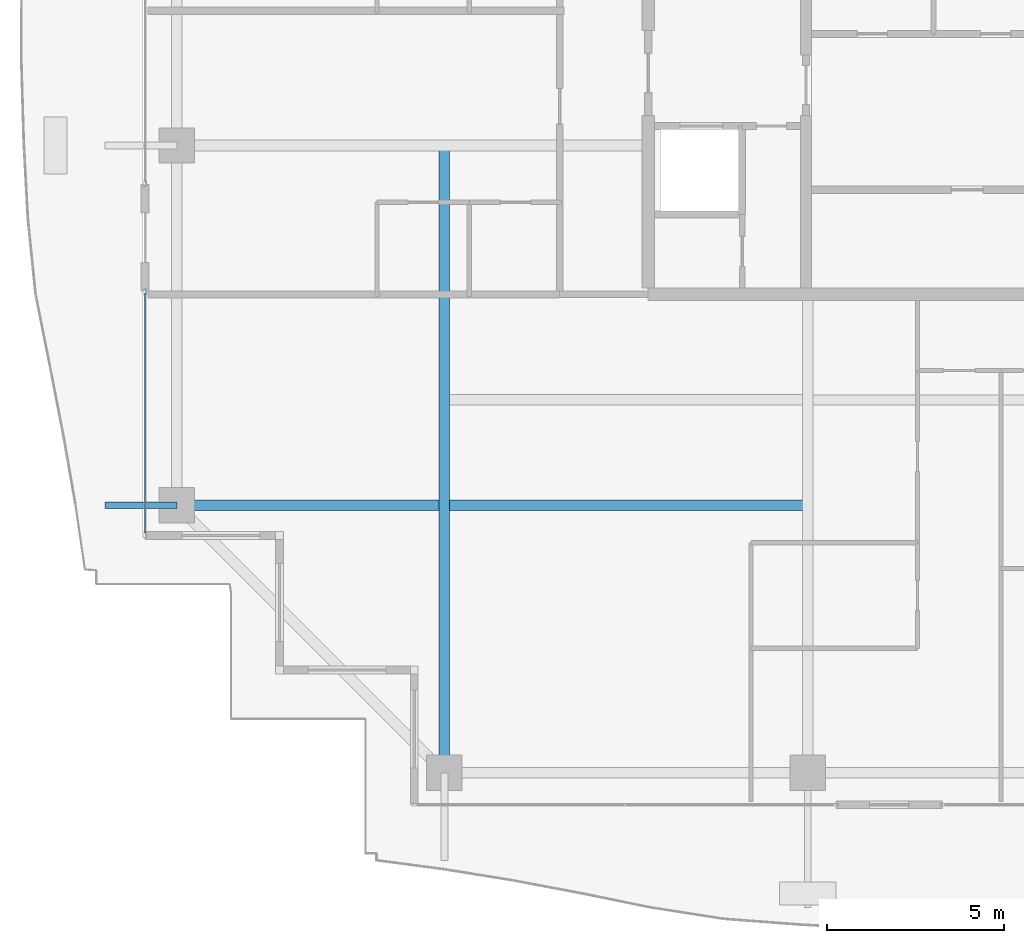
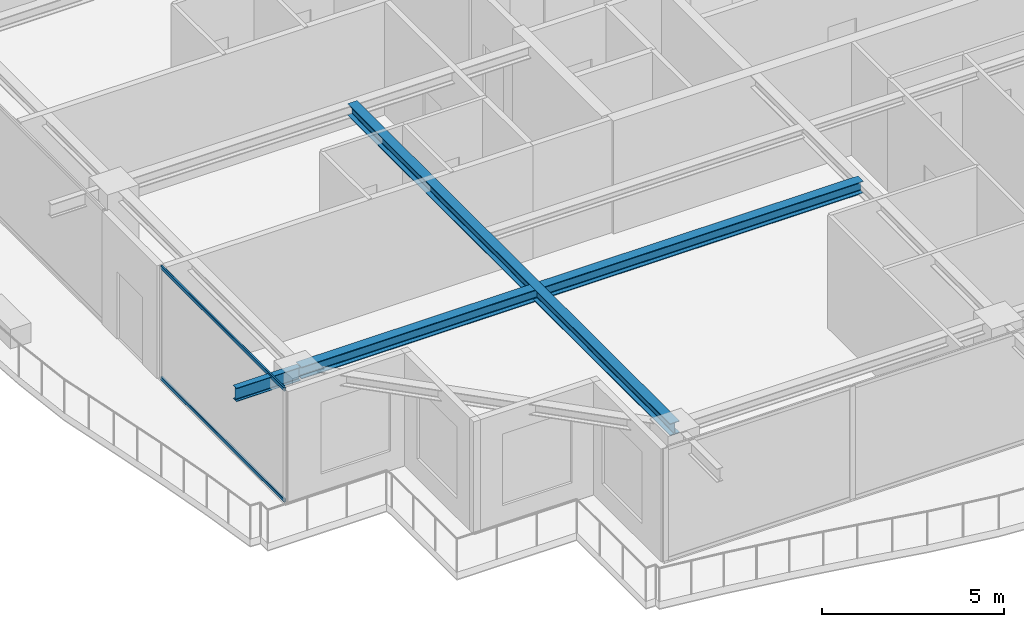
# One storey, part 3 of 37: 3 beams, 2 members, 1 element without a shape of its own.
"""IFC4 building model written with IfcOpenShell, lengths in metres."""

from ifc_helpers import new_model, si_unit, direction, frame, origin, origin_2d, place, context, subcontext, project, spatial, hollow_rectangle, i_section, extrude, source, transform, mapped, material, layer, layer_set, material_profile, profile_set, type_object, element, aggregate, save


model = new_model("IFC4")

# Units and contexts
model_context = context("Model", 3, precision=1e-05, world=origin(), true_north=direction((0.0, 1.0)))
body_context = subcontext(model_context, "Body", "Model", "MODEL_VIEW")
ifc_project = project(units=[si_unit("LENGTHUNIT", "METRE"), si_unit("AREAUNIT", "SQUARE_METRE"), si_unit("VOLUMEUNIT", "CUBIC_METRE"), si_unit("PLANEANGLEUNIT", "RADIAN"), si_unit("MASSUNIT", "GRAM", prefix="KILO")], contexts=[model_context])

# Site, building, storey
site_placement = place(None, origin())
site = spatial("IfcSite", under=ifc_project, at=site_placement, CompositionType="ELEMENT")
building_placement = place(site_placement, origin())
building = spatial("IfcBuilding", under=site, at=building_placement, Name="Serunith Strait Residences", CompositionType="ELEMENT")
storey_placement = place(building_placement, frame((0.0, 0.0, 305.60009765625)))
storey = spatial("IfcBuildingStorey", under=building, at=storey_placement, Name="L76", CompositionType="ELEMENT", Elevation=305.60009765625)

# Beams
ifc_material_1 = material(Name="Steel S355J2", Category="steel")
ifc_material_profile_1 = material_profile(ifc_material_1, i_section(OverallWidth=0.300048828125, OverallDepth=0.39990234375, WebThickness=0.013427734375, FlangeThickness=0.02392578125, FilletRadius=0.027099609375, at=origin_2d()), Name="HEB 400")
ifc_profile_set_1 = profile_set([ifc_material_profile_1], Name="Steel S355J2")
beam_type_1 = type_object("IfcBeamType", Name="BM-HEB400", PredefinedType="BEAM", material=ifc_profile_set_1)
shared_shape_1 = source(origin(), body_context, "Body", "SweptSolid", [
    extrude(i_section(OverallWidth=0.300048828125, OverallDepth=0.39990234375, WebThickness=0.013427734375, FlangeThickness=0.02392578125, FilletRadius=0.027099609375, at=origin_2d()), origin(), (0.0, 0.0, 1.0), 17.699951171875),
])
beam_1_placement = place(storey_placement, frame((17.64990234375, 21.0, 3.5869140625), z_axis=(0.0, -1.0, 0.0), x_axis=(1.0, 0.0, 0.0)))
element("IfcBeam", 1, at=beam_1_placement, inside=storey, type_object=beam_type_1, Name="L76 Orthogonal Corner Girder TC-S1", PredefinedType="BEAM", context=body_context, shape_type="MappedRepresentation", body=[
    mapped(shared_shape_1, transform((0.0, 0.0, 0.0), scale=1.0)),
])
shared_shape_2 = source(origin(), body_context, "Body", "SweptSolid", [
    extrude(i_section(OverallWidth=0.300048828125, OverallDepth=0.39990234375, WebThickness=0.013427734375, FlangeThickness=0.02392578125, FilletRadius=0.027099609375, at=origin_2d()), origin(), (0.0, 0.0, 1.0), 17.7998046875),
])
beam_2_placement = place(storey_placement, frame((27.89990234375, 10.85009765625, 3.5869140625), z_axis=(-1.0, 0.0, 0.0), x_axis=(0.0, -1.0, 0.0)))
element("IfcBeam", 2, at=beam_2_placement, inside=storey, type_object=beam_type_1, Name="L76 Orthogonal Corner Girder TC-W1", PredefinedType="BEAM", context=body_context, shape_type="MappedRepresentation", body=[
    mapped(shared_shape_2, transform((0.0, 0.0, 0.0), scale=1.0)),
])
ifc_material_profile_2 = material_profile(ifc_material_1, i_section(OverallWidth=0.18994140625, OverallDepth=0.449951171875, WebThickness=0.009521484375, FlangeThickness=0.0146484375, FilletRadius=0.02099609375, at=origin_2d()), Name="IPE 450")
ifc_profile_set_2 = profile_set([ifc_material_profile_2], Name="Steel S355J2")
beam_type_2 = type_object("IfcBeamType", Name="BM-IPE450", PredefinedType="JOIST", material=ifc_profile_set_2)
shared_shape_3 = source(origin(), body_context, "Body", "SweptSolid", [
    extrude(i_section(OverallWidth=0.18994140625, OverallDepth=0.449951171875, WebThickness=0.009521484375, FlangeThickness=0.0146484375, FilletRadius=0.02099609375, at=origin_2d()), origin(), (0.0, 0.0, 1.0), 2.030029296875),
])
beam_3_placement = place(storey_placement, frame((10.10009765625, 10.85009765625, 3.531982421875), z_axis=(-1.0, 0.0, 0.0), x_axis=(0.0, -1.0, 0.0)))
element("IfcBeam", 3, at=beam_3_placement, inside=storey, type_object=beam_type_2, Name="L77 Cantilevered Balcony Rib TC-W1", PredefinedType="JOIST", context=body_context, shape_type="MappedRepresentation", body=[
    mapped(shared_shape_3, transform((0.0, 0.0, 0.0), scale=1.0)),
])

# Curtain wall, members
ifc_material_2 = material(Name="Brushed Stainless-Silver Aluminium", Category="aluminium")
ifc_layer = layer(ifc_material_2, 0.199951171875, Name="Brushed Stainless-Silver Aluminium")
ifc_layer_set = layer_set([ifc_layer], Name="Brushed Stainless-Silver Aluminium")
curtain_wall_type = type_object("IfcCurtainWallType", Name="CW-SYS5", PredefinedType="NOTDEFINED", material=ifc_layer_set)
curtain_wall_placement = place(storey_placement, origin())
curtain_wall = element("IfcCurtainWall", 4, at=curtain_wall_placement, inside=storey, type_object=curtain_wall_type, Name="L76 W Unitised Fritted Curtain Wall", PredefinedType="NOTDEFINED")
ifc_material_profile_3 = material_profile(ifc_material_2, hollow_rectangle(XDim=0.06005859375, YDim=0.1201171875, WallThickness=0.00341796875, InnerFilletRadius=0.00537109375, OuterFilletRadius=0.0087890625, at=origin_2d()), Name="ALU 120x60x3.5")
ifc_profile_set_3 = profile_set([ifc_material_profile_3], Name="Brushed Stainless-Silver Aluminium")
member_type = type_object("IfcMemberType", Name="CW-SYS5-TRAN", PredefinedType="USERDEFINED", material=ifc_profile_set_3)
shared_shape_4 = source(origin(), body_context, "Body", "SweptSolid", [
    extrude(hollow_rectangle(XDim=0.06005859375, YDim=0.1201171875, WallThickness=0.00341796875, InnerFilletRadius=0.00537109375, OuterFilletRadius=0.0087890625, at=origin_2d()), origin(), (0.0, 0.0, 1.0), 6.77001953125),
])
member_1_placement = place(storey_placement, frame((9.199951171875, 16.8349609375, 0.02978515625), z_axis=(0.0, -1.0, 0.0), x_axis=(1.0, 0.0, 0.0)))
member_1 = element("IfcMember", 5, at=member_1_placement, type_object=member_type, Name="CW-5 transom 1.1", ObjectType="TRANSOM", PredefinedType="USERDEFINED", context=body_context, shape_type="MappedRepresentation", body=[
    mapped(shared_shape_4, transform((0.0, 0.0, 0.0), scale=1.0)),
])
member_2_placement = place(storey_placement, frame((9.199951171875, 16.8349609375, 3.744873046875), z_axis=(0.0, -1.0, 0.0), x_axis=(1.0, 0.0, 0.0)))
member_2 = element("IfcMember", 6, at=member_2_placement, type_object=member_type, Name="CW-5 transom 1.2", ObjectType="TRANSOM", PredefinedType="USERDEFINED", context=body_context, shape_type="MappedRepresentation", body=[
    mapped(shared_shape_4, transform((0.0, 0.0, 0.0), scale=1.0)),
])
aggregate(curtain_wall, [member_1, member_2])

save(model, "model.ifc")
